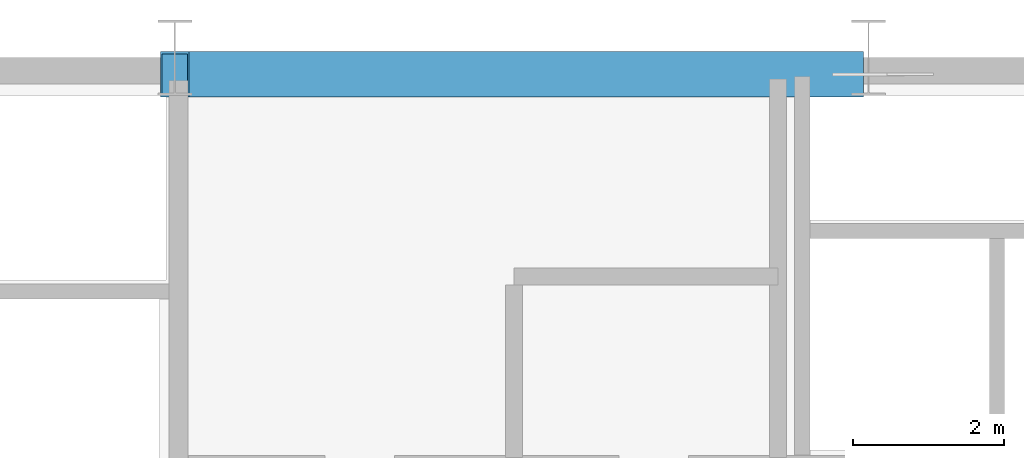
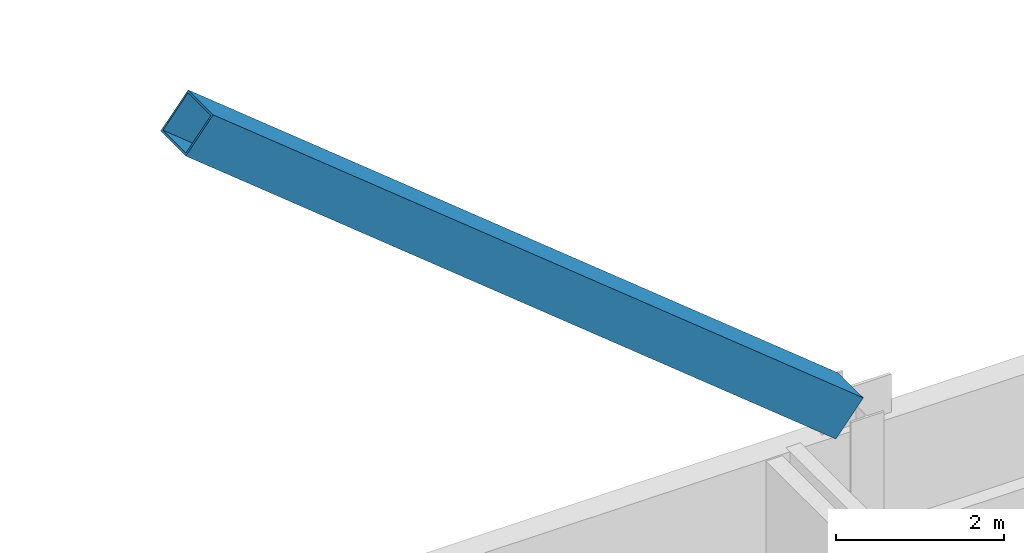
# One storey, part 21 of 32: 1 member.
"""IFC4 building model written with IfcOpenShell, lengths in metres."""

from ifc_helpers import new_model, si_unit, direction, frame, origin, origin_2d, place, context, subcontext, project, spatial, hollow_rectangle, extrude, source, transform, mapped, material, material_profile, profile_set, type_object, type_shapes, element, save


model = new_model("IFC4")

# Units and contexts
model_context = context("Model", 3, precision=1e-05, world=origin(), true_north=direction((0.0, 1.0)))
body_context = subcontext(model_context, "Body", "Model", "MODEL_VIEW")
ifc_project = project(units=[si_unit("LENGTHUNIT", "METRE"), si_unit("AREAUNIT", "SQUARE_METRE"), si_unit("VOLUMEUNIT", "CUBIC_METRE"), si_unit("PLANEANGLEUNIT", "RADIAN"), si_unit("MASSUNIT", "GRAM", prefix="KILO")], contexts=[model_context])

# Site, building, storey
site_placement = place(None, origin())
site = spatial("IfcSite", under=ifc_project, at=site_placement, CompositionType="ELEMENT")
building_placement = place(site_placement, origin())
building = spatial("IfcBuilding", under=site, at=building_placement, Name="Varnel Quay Broadcast Tower", CompositionType="ELEMENT")
storey_placement = place(building_placement, frame((0.0, 0.0, 164.800048828125)))
storey = spatial("IfcBuildingStorey", under=building, at=storey_placement, Name="L40", CompositionType="ELEMENT", Elevation=164.800048828125)

# Member
ifc_material = material(Name="Structural Steel CSA G40.21 350WT", Category="steel")
ifc_material_profile = material_profile(ifc_material, hollow_rectangle(XDim=0.60009765625, YDim=0.60009765625, WallThickness=0.028076171875, at=origin_2d()), Name="BOX600X600X28")
ifc_profile_set = profile_set([ifc_material_profile], Name="Structural Steel CSA G40.21 350WT")
member_type = type_object("IfcMemberType", Name="Brace_BOX600X600X28", PredefinedType="BRACE", material=ifc_profile_set)
shared_shape = source(origin(), body_context, "Body", "SweptSolid", [
    extrude(hollow_rectangle(XDim=0.60009765625, YDim=0.60009765625, WallThickness=0.028076171875, at=origin_2d()), origin(), (0.0, 0.0, 1.0), 11.509521484375),
])
type_shapes(member_type, [shared_shape])
member_placement = place(storey_placement, frame((33.7421875, 46.580078125, 3.8837890625), z_axis=(-0.776938015537, 0.0, 0.629577096163), x_axis=(0.0, -1.0, 0.0)))
element("IfcMember", 1, at=member_placement, inside=storey, type_object=member_type, Name="Zone 3 Mega-Brace N-CT2 Split Diag B2", PredefinedType="BRACE", context=body_context, shape_type="MappedRepresentation", body=[
    mapped(shared_shape, transform((0.0, 0.0, 0.0), x_axis=(1.0, 0.0, 0.0), y_axis=(0.0, 1.0, 0.0), z_axis=(0.0, 0.0, 1.0), scale=1.0)),
])

save(model, "model.ifc")
